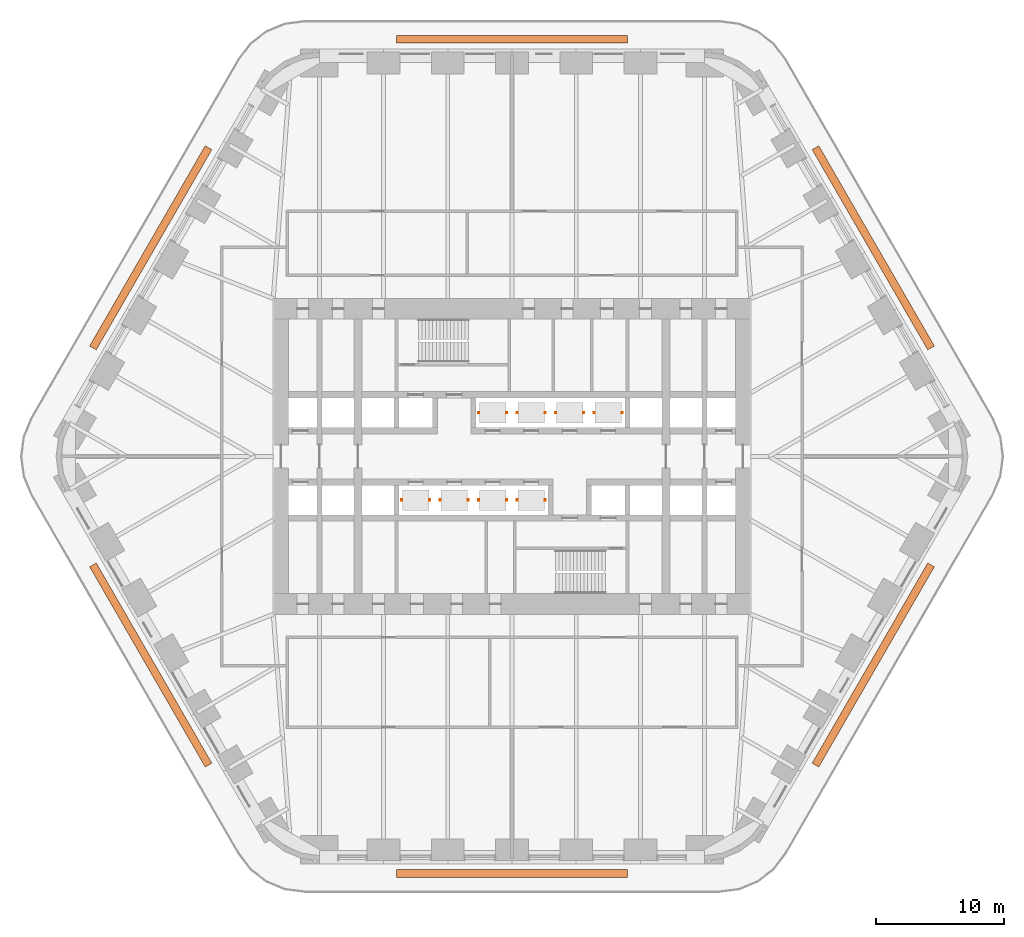
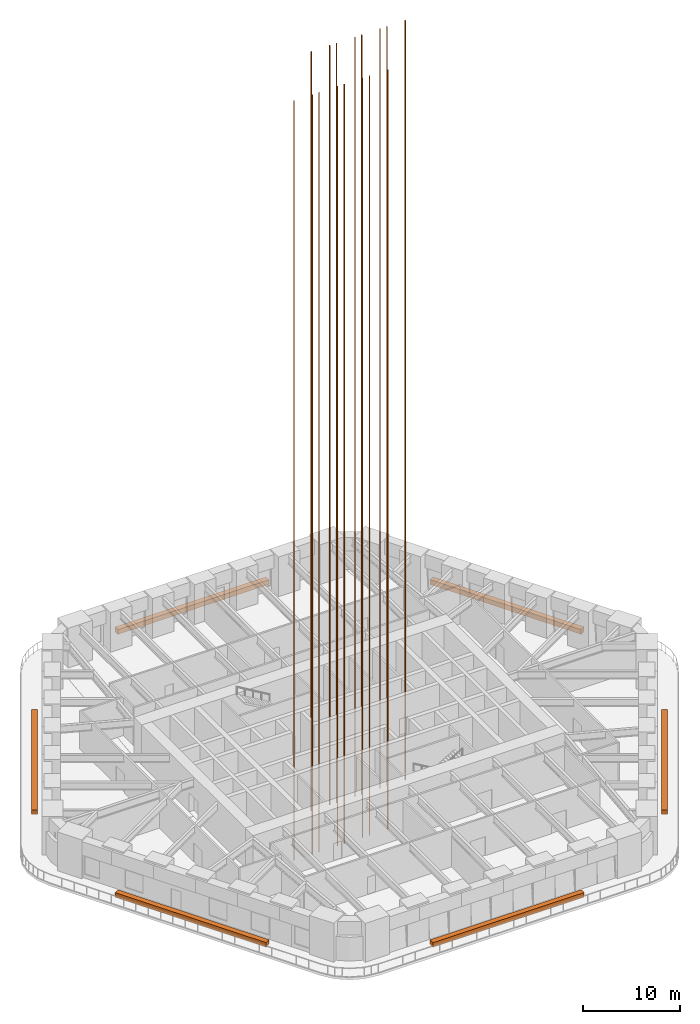
# One storey, part 15 of 15: 14 proxies.
"""IFC4 building model written with IfcOpenShell, lengths in metres."""

from ifc_helpers import new_model, si_unit, direction, frame, frame_2d, origin, origin_2d, place, context, subcontext, project, spatial, rectangle, extrude, material, element, save


model = new_model("IFC4")

# Units and contexts
model_context = context("Model", 3, precision=1e-05, world=origin(), true_north=direction((0.0, 1.0)))
body_context = subcontext(model_context, "Body", "Model", "MODEL_VIEW")
ifc_project = project(units=[si_unit("LENGTHUNIT", "METRE"), si_unit("AREAUNIT", "SQUARE_METRE"), si_unit("VOLUMEUNIT", "CUBIC_METRE"), si_unit("PLANEANGLEUNIT", "RADIAN"), si_unit("MASSUNIT", "GRAM", prefix="KILO")], contexts=[model_context])

# Site, building, storey
site_placement = place(None, origin())
site = spatial("IfcSite", under=ifc_project, at=site_placement, CompositionType="ELEMENT")
building_placement = place(site_placement, origin())
building = spatial("IfcBuilding", under=site, at=building_placement, Name="Tarfa Lantern Tower", CompositionType="ELEMENT")
storey_placement = place(building_placement, frame((0.0, 0.0, 114.5)))
storey = spatial("IfcBuildingStorey", under=building, at=storey_placement, Name="L25", CompositionType="ELEMENT", Elevation=114.5)

# Proxies
ifc_material_1 = material(Name="Planting bed")
for number, where, z_axis, x_axis, name in (
    (1, (28.145751953125, 16.25, 0.0), (0.0, 0.0, 1.0), (-0.5, 0.866025403784, 0.0), "Sky garden planter"),
    (2, (0.0, 32.5, 0.0), (0.0, 0.0, 1.0), (-1.0, 0.0, 0.0), "Sky garden planter"),
    (3, (-28.145751953125, 16.25, 0.0), (0.0, 0.0, 1.0), (-0.5, -0.866025403784, 0.0), "Sky garden planter"),
    (4, (-28.145751953125, -16.25, 0.0), (0.0, 0.0, 1.0), (0.5, -0.866025403784, 0.0), "Sky garden planter"),
    (5, (0.0, -32.5, 0.0), (0.0, 0.0, 1.0), (1.0, 0.0, 0.0), "Sky garden planter"),
    (6, (28.145751953125, -16.25, 0.0), (0.0, 0.0, 1.0), (0.5, 0.866025403784, 0.0), "Sky garden planter"),
):
    element("IfcBuildingElementProxy", number, at=place(storey_placement, frame(where, z_axis=z_axis, x_axis=x_axis)), inside=storey, material=ifc_material_1, Name=name, ObjectType="PLANTER", PredefinedType="USERDEFINED", context=body_context, shape_type="SweptSolid", body=[
        extrude(rectangle(XDim=18.013427734375, YDim=0.60009765625, at=origin_2d()), origin(), (0.0, 0.0, 1.0), 0.60009765625),
    ])
ifc_material_2 = material(Name="Steel S355", Category="steel")
for number, where, z_axis, x_axis, name in (
    (7, (-2.594970703125, 3.39990234375, -7.0), (0.0, 0.0, 1.0), (1.0, 0.0, 0.0), "Guide rails PB1"),
    (8, (0.405029296875, 3.39990234375, -7.0), (0.0, 0.0, 1.0), (1.0, 0.0, 0.0), "Guide rails PB2"),
    (9, (3.405029296875, 3.39990234375, -7.0), (0.0, 0.0, 1.0), (1.0, 0.0, 0.0), "Guide rails PB3"),
    (10, (6.405029296875, 3.39990234375, -7.0), (0.0, 0.0, 1.0), (1.0, 0.0, 0.0), "Guide rails PB4"),
    (11, (0.405029296875, -3.39990234375, -7.0), (0.0, 0.0, 1.0), (1.0, 0.0, 0.0), "Guide rails PB5"),
    (12, (-2.594970703125, -3.39990234375, -7.0), (0.0, 0.0, 1.0), (1.0, 0.0, 0.0), "Guide rails PB6"),
    (13, (-5.594970703125, -3.39990234375, -7.0), (0.0, 0.0, 1.0), (1.0, 0.0, 0.0), "Guide rails PB7"),
    (14, (-8.594970703125, -3.39990234375, -7.0), (0.0, 0.0, 1.0), (1.0, 0.0, 0.0), "Guide rails PB8"),
):
    element("IfcBuildingElementProxy", number, at=place(storey_placement, frame(where, z_axis=z_axis, x_axis=x_axis)), inside=storey, material=ifc_material_2, Name=name, PredefinedType="NOTDEFINED", context=body_context, shape_type="SweptSolid", body=[
        extrude(rectangle(XDim=0.090087890625, YDim=0.090087890625, at=origin_2d()), origin(), (0.0, 0.0, 1.0), 95.64990234375),
        extrude(rectangle(XDim=0.090087890625, YDim=0.090087890625, at=frame_2d((2.18994140625, 0.0))), origin(), (0.0, 0.0, 1.0), 95.64990234375),
    ])

save(model, "model.ifc")
